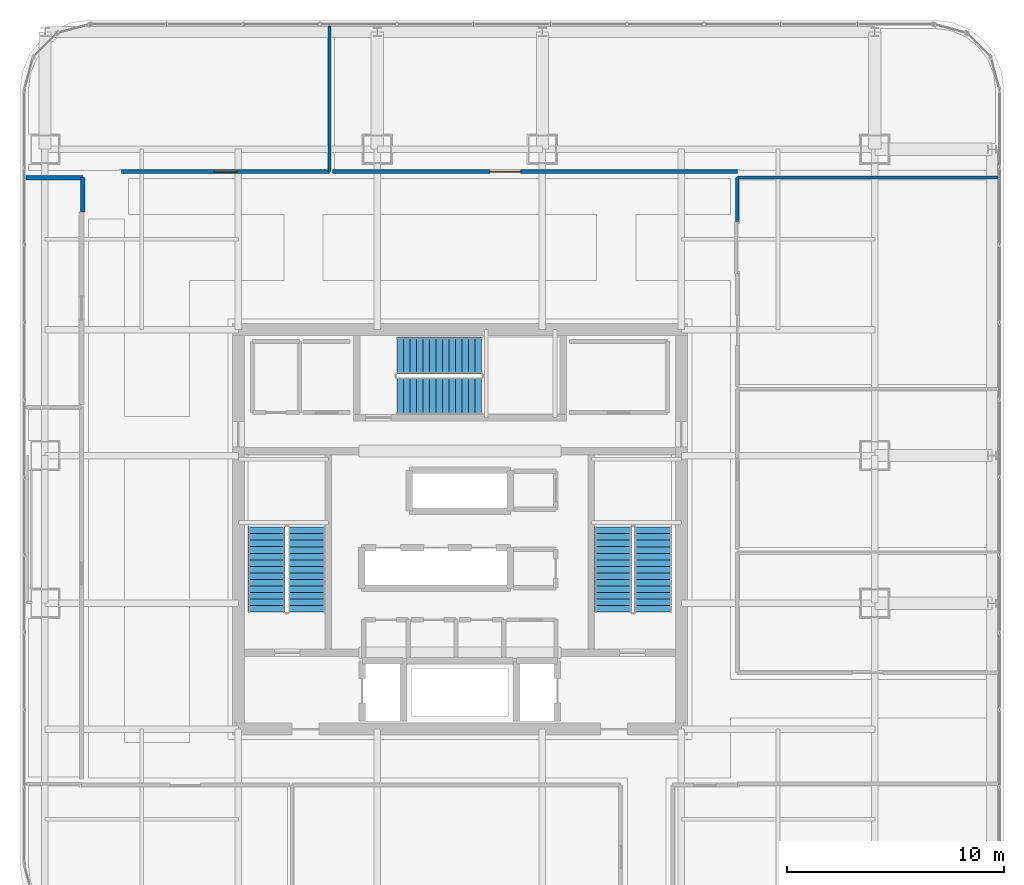
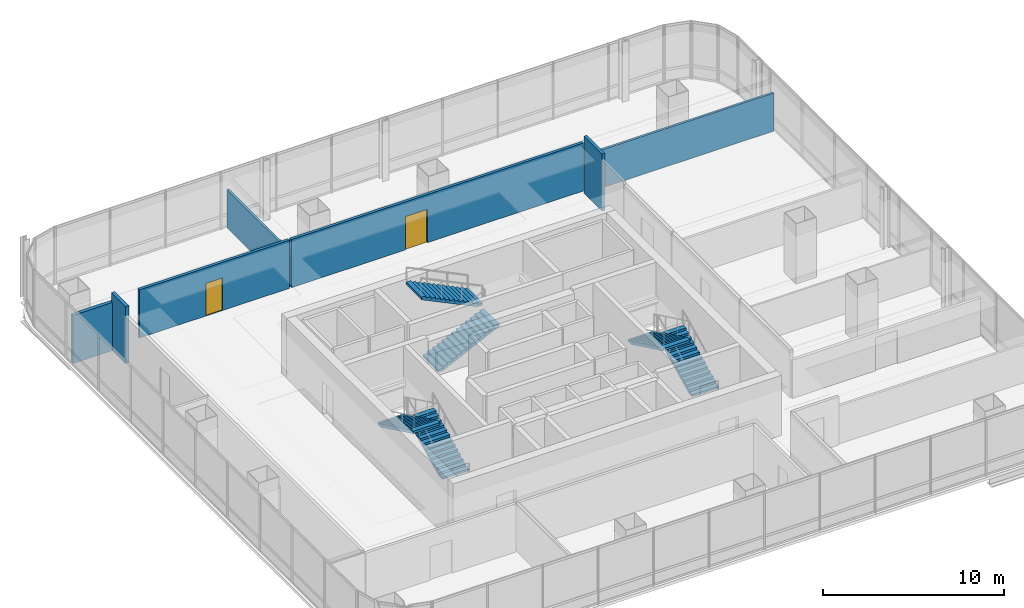
# One storey, part 35 of 42: 7 walls, 6 stair flights, 2 doors, 2 openings, 3 elements without a shape of their own.
"""IFC4 building model written with IfcOpenShell, lengths in metres."""

from ifc_helpers import new_model, si_unit, direction, frame, frame_2d, origin, place, context, subcontext, project, spatial, polyline, rectangle, outline, extrude, material, layer, layer_set, type_object, element, fill, aggregate, save


model = new_model("IFC4")

# Units and contexts
model_context = context("Model", 3, precision=1e-05, world=origin(), true_north=direction((0.0, 1.0)))
body_context = subcontext(model_context, "Body", "Model", "MODEL_VIEW")
ifc_project = project(units=[si_unit("LENGTHUNIT", "METRE"), si_unit("AREAUNIT", "SQUARE_METRE"), si_unit("VOLUMEUNIT", "CUBIC_METRE"), si_unit("PLANEANGLEUNIT", "RADIAN"), si_unit("MASSUNIT", "GRAM", prefix="KILO")], contexts=[model_context])

# Site, building, storey
site_placement = place(None, origin())
site = spatial("IfcSite", under=ifc_project, at=site_placement, CompositionType="ELEMENT")
building_placement = place(site_placement, origin())
building = spatial("IfcBuilding", under=site, at=building_placement, Name="Punatoya Terracotta Tower", CompositionType="ELEMENT")
storey_placement = place(building_placement, frame((0.0, 0.0, 255.449951171875)))
storey = spatial("IfcBuildingStorey", under=building, at=storey_placement, Name="L60", CompositionType="ELEMENT", Elevation=255.449951171875)

# Wall
ifc_material_1 = material(Name="Gypsum Fireboard + Steel Stud", Category="steel")
ifc_layer_1 = layer(ifc_material_1, 0.179931640625)
ifc_layer_set_1 = layer_set([ifc_layer_1], Name="Gypsum Fireboard + Steel Stud")
wall_type_1 = type_object("IfcWallType", Name="WL-CORR-180", PredefinedType="PARTITIONING", material=ifc_layer_set_1)
wall_1_placement = place(storey_placement, frame((12.77001953125, 14.179931640625, 0.0), z_axis=(0.0, 0.0, 1.0), x_axis=(0.0, 1.0, 0.0)))
element("IfcWall", 1, at=wall_1_placement, inside=storey, type_object=wall_type_1, Name="L60 Editorial Conference Room Partition 45", PredefinedType="PARTITIONING", context=body_context, shape_type="SweptSolid", body=[
    extrude(rectangle(XDim=2.010009765625, YDim=0.179931640625, at=frame_2d((1.0048828125, 0.0))), origin(), (0.0, 0.0, 1.0), 3.85009765625),
])

# Wall, opening, door
wall_2_placement = place(storey_placement, frame((-5.993896484375, 16.469970703125, 0.0), z_axis=(0.0, 0.0, 1.0), x_axis=(-1.0, 0.0, 0.0)))
wall_2 = element("IfcWall", 2, at=wall_2_placement, inside=storey, type_object=wall_type_1, Name="L60 Open-Plan Client Briefing Office Partition 48", PredefinedType="PARTITIONING", context=body_context, shape_type="SweptSolid", body=[
    extrude(rectangle(XDim=9.576171875, YDim=0.179931640625, at=frame_2d((4.7880859375, 0.0))), origin(), (0.0, 0.0, 1.0), 3.244140625),
])
opening_1_placement = place(wall_2_placement, frame((4.262939453125, 0.0, 0.0)))
opening_1 = element("IfcOpeningElement", 3, at=opening_1_placement, cuts=wall_2, Name="Opening OD-01", PredefinedType="OPENING", context=body_context, shape_type="SweptSolid", body=[
    extrude(rectangle(XDim=1.050048828125, YDim=2.199951171875, at=frame_2d((0.52490234375, 1.10009765625))), frame((0.0, 0.099853515625, 0.0), z_axis=(0.0, -1.0, 0.0), x_axis=(1.0, 0.0, 0.0)), (0.0, 0.0, 1.0), 0.199951171875),
])
ifc_material_2 = material(Name="Bengal Teak Solid-Core Leaf")
door_type_1 = type_object("IfcDoorType", Name="DR-OFF-1050", OperationType="NOTDEFINED", PredefinedType="DOOR", material=ifc_material_2)
door_1_placement = place(opening_1_placement, origin())
door_1 = element("IfcDoor", 4, at=door_1_placement, inside=storey, type_object=door_type_1, Name="L60 Open-Plan Client Briefing Office Door", OperationType="SINGLE_SWING_RIGHT", OverallHeight=2.199951171875, OverallWidth=1.050048828125, PredefinedType="DOOR", context=body_context, shape_type="SweptSolid", body=[
    extrude(rectangle(XDim=1.050048828125, YDim=2.199951171875, at=frame_2d((0.52490234375, 1.10009765625))), frame((0.0, 0.02490234375, 0.0), z_axis=(0.0, -1.0, 0.0), x_axis=(1.0, 0.0, 0.0)), (0.0, 0.0, 1.0), 0.050048828125),
])
fill(opening_1, door_1)

wall_3_placement = place(storey_placement, frame((12.77001953125, 16.469970703125, 0.0), z_axis=(0.0, 0.0, 1.0), x_axis=(-1.0, 0.0, 0.0)))
wall_3 = element("IfcWall", 5, at=wall_3_placement, inside=storey, type_object=wall_type_1, Name="L60 Visualization Review Room Partition 49", PredefinedType="PARTITIONING", context=body_context, shape_type="SweptSolid", body=[
    extrude(rectangle(XDim=18.64404296875, YDim=0.179931640625, at=frame_2d((9.322021484375, 0.0))), origin(), (0.0, 0.0, 1.0), 3.244140625),
])
opening_2_placement = place(wall_3_placement, frame((9.971923828125, 0.0, 0.0)))
opening_2 = element("IfcOpeningElement", 6, at=opening_2_placement, cuts=wall_3, Name="Opening BD-01", PredefinedType="OPENING", context=body_context, shape_type="SweptSolid", body=[
    extrude(rectangle(XDim=1.39990234375, YDim=2.25, at=frame_2d((0.699951171875, 1.125))), frame((0.0, 0.099853515625, 0.0), z_axis=(0.0, -1.0, 0.0), x_axis=(1.0, 0.0, 0.0)), (0.0, 0.0, 1.0), 0.199951171875),
])
ifc_material_3 = material(Name="Bengal Teak Acoustic Leaf")
door_type_2 = type_object("IfcDoorType", Name="DR-BRD-1400", OperationType="NOTDEFINED", PredefinedType="DOOR", material=ifc_material_3)
door_2_placement = place(opening_2_placement, origin())
door_2 = element("IfcDoor", 7, at=door_2_placement, inside=storey, type_object=door_type_2, Name="L60 Visualization Review Room Door", OperationType="SINGLE_SWING_LEFT", OverallHeight=2.25, OverallWidth=1.39990234375, PredefinedType="DOOR", context=body_context, shape_type="SweptSolid", body=[
    extrude(rectangle(XDim=1.39990234375, YDim=2.25, at=frame_2d((0.699951171875, 1.125))), frame((0.0, 0.02490234375, 0.0), z_axis=(0.0, -1.0, 0.0), x_axis=(1.0, 0.0, 0.0)), (0.0, 0.0, 1.0), 0.050048828125),
])
fill(opening_2, door_2)

# Walls
ifc_material_4 = material(Name="Concrete C40/50", Category="concrete")
ifc_layer_2 = layer(ifc_material_4, 0.219970703125)
ifc_layer_set_2 = layer_set([ifc_layer_2], Name="Concrete C40/50")
wall_type_2 = type_object("IfcWallType", Name="WL-FIR-220", PredefinedType="SOLIDWALL", material=ifc_layer_set_2)
wall_4_placement = place(storey_placement, frame((-19.969970703125, 16.18994140625, 0.0), z_axis=(0.0, 0.0, 1.0), x_axis=(1.0, 0.0, 0.0)))
element("IfcWall", 8, at=wall_4_placement, inside=storey, type_object=wall_type_2, Name="L60 Model-Making Archive Partition 40", PredefinedType="SOLIDWALL", context=body_context, shape_type="SweptSolid", body=[
    extrude(rectangle(XDim=2.60986328125, YDim=0.219970703125, at=frame_2d((1.304931640625, 0.0))), origin(), (0.0, 0.0, 1.0), 3.244140625),
])
wall_5_placement = place(storey_placement, frame((-17.360107421875, 16.18994140625, 0.0), z_axis=(0.0, 0.0, 1.0), x_axis=(0.0, -1.0, 0.0)))
element("IfcWall", 9, at=wall_5_placement, inside=storey, type_object=wall_type_2, Name="L60 Model-Making Archive Partition 41", PredefinedType="SOLIDWALL", context=body_context, shape_type="SweptSolid", body=[
    extrude(rectangle(XDim=1.56982421875, YDim=0.219970703125, at=frame_2d((0.784912109375, 0.0))), origin(), (0.0, 0.0, 1.0), 3.85009765625),
])
ifc_material_5 = material(Name="Acoustic Gypsum + Steel Stud", Category="steel")
ifc_layer_3 = layer(ifc_material_5, 0.139892578125)
ifc_layer_set_3 = layer_set([ifc_layer_3], Name="Acoustic Gypsum + Steel Stud")
wall_type_3 = type_object("IfcWallType", Name="WL-OFF-140", PredefinedType="PARTITIONING", material=ifc_layer_set_3)
wall_6_placement = place(storey_placement, frame((12.77001953125, 16.18994140625, 0.0), z_axis=(0.0, 0.0, 1.0), x_axis=(1.0, 0.0, 0.0)))
element("IfcWall", 10, at=wall_6_placement, inside=storey, type_object=wall_type_3, Name="L60 Editorial Conference Room Partition 46", PredefinedType="PARTITIONING", context=body_context, shape_type="SweptSolid", body=[
    extrude(rectangle(XDim=12.0, YDim=0.139892578125, at=frame_2d((6.0, 0.0))), origin(), (0.0, 0.0, 1.0), 2.56396484375),
])
wall_7_placement = place(storey_placement, frame((-5.993896484375, 23.169921875, 0.0), z_axis=(0.0, 0.0, 1.0), x_axis=(0.0, -1.0, 0.0)))
element("IfcWall", 11, at=wall_7_placement, inside=storey, type_object=wall_type_3, Name="L60 Open-Plan Client Briefing Office Partition 47", PredefinedType="PARTITIONING", context=body_context, shape_type="SweptSolid", body=[
    extrude(rectangle(XDim=6.699951171875, YDim=0.139892578125, at=frame_2d((3.35009765625, 0.0))), origin(), (0.0, 0.0, 1.0), 2.56396484375),
])

# Stair, stair flights
stair_type_1 = type_object("IfcStairType", Name="STR-CORE-1550", PredefinedType="HALF_TURN_STAIR", material=ifc_material_4)
stair_1_placement = place(storey_placement, origin())
stair_1 = element("IfcStair", 12, at=stair_1_placement, inside=storey, type_object=stair_type_1, Name="L60 Protected Core Exit Stair ST-1", PredefinedType="HALF_TURN_STAIR")
stair_flight_type_1 = type_object("IfcStairFlightType", Name="SFL-CORE-1550", PredefinedType="STRAIGHT", material=ifc_material_4)
stair_flight_1_placement = place(storey_placement, frame((-7.050048828125, -3.800048828125, 0.0), z_axis=(0.0, 0.0, 1.0), x_axis=(0.0, 1.0, 0.0)))
stair_flight_1 = element("IfcStairFlight", 13, at=stair_flight_1_placement, type_object=stair_flight_type_1, Name="ST-1 flight 1", NumberOfRisers=14, NumberOfTreads=13, PredefinedType="STRAIGHT", RiserHeight=0.144642857, TreadLength=0.3, context=body_context, shape_type="SweptSolid", body=[
    extrude(outline(polyline([(0.0, 0.0), (0.0, 0.14453125), (0.300048828125, 0.14453125), (0.300048828125, 0.289306640625), (0.60009765625, 0.289306640625), (0.60009765625, 0.433837890625), (0.89990234375, 0.433837890625), (0.89990234375, 0.57861328125), (1.199951171875, 0.57861328125), (1.199951171875, 0.72314453125), (1.5, 0.72314453125), (1.5, 0.867919921875), (1.800048828125, 0.867919921875), (1.800048828125, 1.012451171875), (2.10009765625, 1.012451171875), (2.10009765625, 1.1572265625), (2.39990234375, 1.1572265625), (2.39990234375, 1.3017578125), (2.699951171875, 1.3017578125), (2.699951171875, 1.446533203125), (3.0, 1.446533203125), (3.0, 1.591064453125), (3.300048828125, 1.591064453125), (3.300048828125, 1.735595703125), (3.60009765625, 1.735595703125), (3.60009765625, 1.88037109375), (3.89990234375, 1.88037109375), (3.89990234375, 2.02490234375), (3.89990234375, 1.7138671875), (0.34521484375, 0.0), (0.0, 0.0)])), frame((0.0, 0.85009765625, 0.0), z_axis=(0.0, -1.0, 0.0), x_axis=(1.0, 0.0, 0.0)), (0.0, 0.0, 1.0), 1.699951171875),
])
stair_flight_2_placement = place(storey_placement, frame((-8.89990234375, 0.10009765625, 2.025146484375), z_axis=(0.0, 0.0, 1.0), x_axis=(0.0, -1.0, 0.0)))
stair_flight_2 = element("IfcStairFlight", 14, at=stair_flight_2_placement, type_object=stair_flight_type_1, Name="ST-1 flight 2", NumberOfRisers=14, NumberOfTreads=13, PredefinedType="STRAIGHT", RiserHeight=0.144642857, TreadLength=0.3, context=body_context, shape_type="SweptSolid", body=[
    extrude(outline(polyline([(0.0, 0.0), (0.0, 0.14453125), (0.300048828125, 0.14453125), (0.300048828125, 0.289306640625), (0.60009765625, 0.289306640625), (0.60009765625, 0.433837890625), (0.89990234375, 0.433837890625), (0.89990234375, 0.57861328125), (1.199951171875, 0.57861328125), (1.199951171875, 0.72314453125), (1.5, 0.72314453125), (1.5, 0.867919921875), (1.800048828125, 0.867919921875), (1.800048828125, 1.012451171875), (2.10009765625, 1.012451171875), (2.10009765625, 1.1572265625), (2.39990234375, 1.1572265625), (2.39990234375, 1.3017578125), (2.699951171875, 1.3017578125), (2.699951171875, 1.446533203125), (3.0, 1.446533203125), (3.0, 1.591064453125), (3.300048828125, 1.591064453125), (3.300048828125, 1.735595703125), (3.60009765625, 1.735595703125), (3.60009765625, 1.88037109375), (3.89990234375, 1.88037109375), (3.89990234375, 2.02490234375), (3.89990234375, 1.7138671875), (0.34521484375, 0.0), (0.0, 0.0)])), frame((0.0, 0.85009765625, 0.0), z_axis=(0.0, -1.0, 0.0), x_axis=(1.0, 0.0, 0.0)), (0.0, 0.0, 1.0), 1.699951171875),
])
aggregate(stair_1, [stair_flight_1, stair_flight_2])

stair_type_2 = type_object("IfcStairType", Name="STR-LOB-1650", PredefinedType="HALF_TURN_STAIR", material=ifc_material_4)
stair_2_placement = place(storey_placement, origin())
stair_2 = element("IfcStair", 15, at=stair_2_placement, inside=storey, type_object=stair_type_2, Name="L60 Protected Core Exit Stair ST-2", PredefinedType="HALF_TURN_STAIR")
stair_flight_type_2 = type_object("IfcStairFlightType", Name="SFL-LOB-1650", PredefinedType="STRAIGHT", material=ifc_material_4)
stair_flight_3_placement = place(storey_placement, frame((8.89990234375, -3.800048828125, 0.0), z_axis=(0.0, 0.0, 1.0), x_axis=(0.0, 1.0, 0.0)))
stair_flight_3 = element("IfcStairFlight", 16, at=stair_flight_3_placement, type_object=stair_flight_type_2, Name="ST-2 flight 1", NumberOfRisers=14, NumberOfTreads=13, PredefinedType="STRAIGHT", RiserHeight=0.144642857, TreadLength=0.3, context=body_context, shape_type="SweptSolid", body=[
    extrude(outline(polyline([(0.0, 0.0), (0.0, 0.14453125), (0.300048828125, 0.14453125), (0.300048828125, 0.289306640625), (0.60009765625, 0.289306640625), (0.60009765625, 0.433837890625), (0.89990234375, 0.433837890625), (0.89990234375, 0.57861328125), (1.199951171875, 0.57861328125), (1.199951171875, 0.72314453125), (1.5, 0.72314453125), (1.5, 0.867919921875), (1.800048828125, 0.867919921875), (1.800048828125, 1.012451171875), (2.10009765625, 1.012451171875), (2.10009765625, 1.1572265625), (2.39990234375, 1.1572265625), (2.39990234375, 1.3017578125), (2.699951171875, 1.3017578125), (2.699951171875, 1.446533203125), (3.0, 1.446533203125), (3.0, 1.591064453125), (3.300048828125, 1.591064453125), (3.300048828125, 1.735595703125), (3.60009765625, 1.735595703125), (3.60009765625, 1.88037109375), (3.89990234375, 1.88037109375), (3.89990234375, 2.02490234375), (3.89990234375, 1.7138671875), (0.34521484375, 0.0), (0.0, 0.0)])), frame((0.0, 0.85009765625, 0.0), z_axis=(0.0, -1.0, 0.0), x_axis=(1.0, 0.0, 0.0)), (0.0, 0.0, 1.0), 1.699951171875),
])
stair_flight_4_placement = place(storey_placement, frame((7.050048828125, 0.10009765625, 2.025146484375), z_axis=(0.0, 0.0, 1.0), x_axis=(0.0, -1.0, 0.0)))
stair_flight_4 = element("IfcStairFlight", 17, at=stair_flight_4_placement, type_object=stair_flight_type_2, Name="ST-2 flight 2", NumberOfRisers=14, NumberOfTreads=13, PredefinedType="STRAIGHT", RiserHeight=0.144642857, TreadLength=0.3, context=body_context, shape_type="SweptSolid", body=[
    extrude(outline(polyline([(0.0, 0.0), (0.0, 0.14453125), (0.300048828125, 0.14453125), (0.300048828125, 0.289306640625), (0.60009765625, 0.289306640625), (0.60009765625, 0.433837890625), (0.89990234375, 0.433837890625), (0.89990234375, 0.57861328125), (1.199951171875, 0.57861328125), (1.199951171875, 0.72314453125), (1.5, 0.72314453125), (1.5, 0.867919921875), (1.800048828125, 0.867919921875), (1.800048828125, 1.012451171875), (2.10009765625, 1.012451171875), (2.10009765625, 1.1572265625), (2.39990234375, 1.1572265625), (2.39990234375, 1.3017578125), (2.699951171875, 1.3017578125), (2.699951171875, 1.446533203125), (3.0, 1.446533203125), (3.0, 1.591064453125), (3.300048828125, 1.591064453125), (3.300048828125, 1.735595703125), (3.60009765625, 1.735595703125), (3.60009765625, 1.88037109375), (3.89990234375, 1.88037109375), (3.89990234375, 2.02490234375), (3.89990234375, 1.7138671875), (0.34521484375, 0.0), (0.0, 0.0)])), frame((0.0, 0.85009765625, 0.0), z_axis=(0.0, -1.0, 0.0), x_axis=(1.0, 0.0, 0.0)), (0.0, 0.0, 1.0), 1.699951171875),
])
aggregate(stair_2, [stair_flight_3, stair_flight_4])

stair_type_3 = type_object("IfcStairType", Name="STR-TER-1450", PredefinedType="HALF_TURN_STAIR", material=ifc_material_4)
stair_3_placement = place(storey_placement, origin())
stair_3 = element("IfcStair", 18, at=stair_3_placement, inside=storey, type_object=stair_type_3, Name="L60 Protected Core Exit Stair ST-3", PredefinedType="HALF_TURN_STAIR")
stair_flight_type_3 = type_object("IfcStairFlightType", Name="SFL-TER-1450", PredefinedType="STRAIGHT", material=ifc_material_4)
stair_flight_5_placement = place(storey_placement, frame((-2.89990234375, 6.14990234375, 0.0), z_axis=(0.0, 0.0, 1.0), x_axis=(1.0, 0.0, 0.0)))
stair_flight_5 = element("IfcStairFlight", 19, at=stair_flight_5_placement, type_object=stair_flight_type_3, Name="ST-3 flight 1", NumberOfRisers=14, NumberOfTreads=13, PredefinedType="STRAIGHT", RiserHeight=0.144642857, TreadLength=0.3, context=body_context, shape_type="SweptSolid", body=[
    extrude(outline(polyline([(0.0, 0.0), (0.0, 0.14453125), (0.300048828125, 0.14453125), (0.300048828125, 0.289306640625), (0.60009765625, 0.289306640625), (0.60009765625, 0.433837890625), (0.89990234375, 0.433837890625), (0.89990234375, 0.57861328125), (1.199951171875, 0.57861328125), (1.199951171875, 0.72314453125), (1.5, 0.72314453125), (1.5, 0.867919921875), (1.800048828125, 0.867919921875), (1.800048828125, 1.012451171875), (2.10009765625, 1.012451171875), (2.10009765625, 1.1572265625), (2.39990234375, 1.1572265625), (2.39990234375, 1.3017578125), (2.699951171875, 1.3017578125), (2.699951171875, 1.446533203125), (3.0, 1.446533203125), (3.0, 1.591064453125), (3.300048828125, 1.591064453125), (3.300048828125, 1.735595703125), (3.60009765625, 1.735595703125), (3.60009765625, 1.88037109375), (3.89990234375, 1.88037109375), (3.89990234375, 2.02490234375), (3.89990234375, 1.7138671875), (0.34521484375, 0.0), (0.0, 0.0)])), frame((0.0, 0.85009765625, 0.0), z_axis=(0.0, -1.0, 0.0), x_axis=(1.0, 0.0, 0.0)), (0.0, 0.0, 1.0), 1.699951171875),
])
stair_flight_6_placement = place(storey_placement, frame((1.0, 8.0, 2.025146484375), z_axis=(0.0, 0.0, 1.0), x_axis=(-1.0, 0.0, 0.0)))
stair_flight_6 = element("IfcStairFlight", 20, at=stair_flight_6_placement, type_object=stair_flight_type_3, Name="ST-3 flight 2", NumberOfRisers=14, NumberOfTreads=13, PredefinedType="STRAIGHT", RiserHeight=0.144642857, TreadLength=0.3, context=body_context, shape_type="SweptSolid", body=[
    extrude(outline(polyline([(0.0, 0.0), (0.0, 0.14453125), (0.300048828125, 0.14453125), (0.300048828125, 0.289306640625), (0.60009765625, 0.289306640625), (0.60009765625, 0.433837890625), (0.89990234375, 0.433837890625), (0.89990234375, 0.57861328125), (1.199951171875, 0.57861328125), (1.199951171875, 0.72314453125), (1.5, 0.72314453125), (1.5, 0.867919921875), (1.800048828125, 0.867919921875), (1.800048828125, 1.012451171875), (2.10009765625, 1.012451171875), (2.10009765625, 1.1572265625), (2.39990234375, 1.1572265625), (2.39990234375, 1.3017578125), (2.699951171875, 1.3017578125), (2.699951171875, 1.446533203125), (3.0, 1.446533203125), (3.0, 1.591064453125), (3.300048828125, 1.591064453125), (3.300048828125, 1.735595703125), (3.60009765625, 1.735595703125), (3.60009765625, 1.88037109375), (3.89990234375, 1.88037109375), (3.89990234375, 2.02490234375), (3.89990234375, 1.7138671875), (0.34521484375, 0.0), (0.0, 0.0)])), frame((0.0, 0.85009765625, 0.0), z_axis=(0.0, -1.0, 0.0), x_axis=(1.0, 0.0, 0.0)), (0.0, 0.0, 1.0), 1.699951171875),
])
aggregate(stair_3, [stair_flight_5, stair_flight_6])

save(model, "model.ifc")
